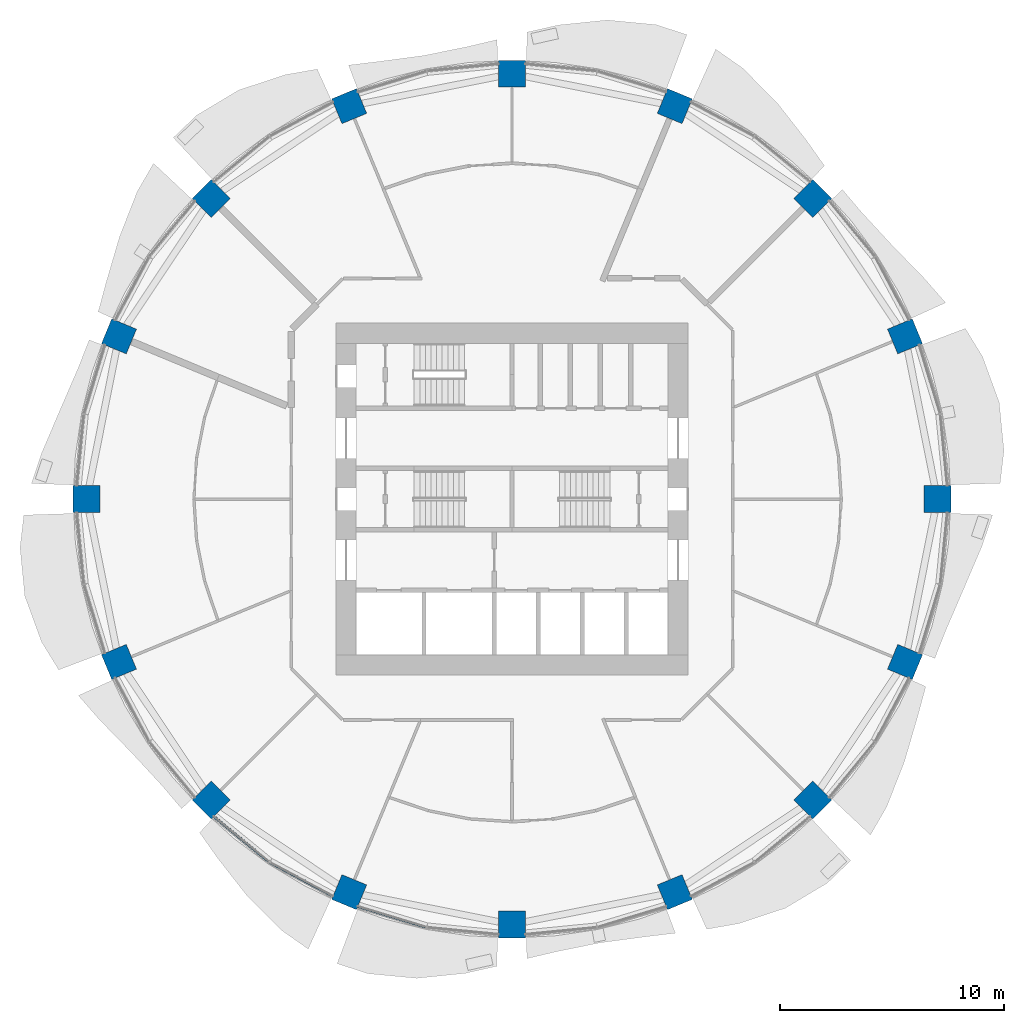
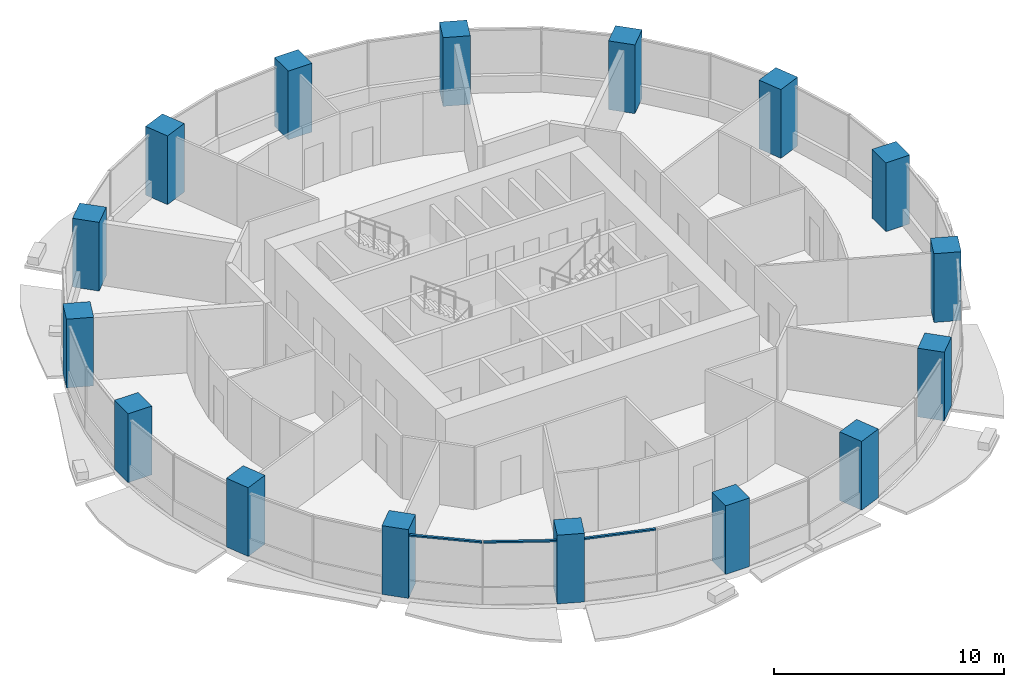
# One storey, part 1 of 15: 16 columns, 3 members, 2 elements without a shape of their own.
"""IFC4 building model written with IfcOpenShell, lengths in metres."""

from ifc_helpers import new_model, si_unit, direction, frame, origin, origin_2d, place, context, subcontext, project, spatial, rectangle, extrude, material, material_profile, profile_set, type_object, element, aggregate, save


model = new_model("IFC4")

# Units and contexts
model_context = context("Model", 3, precision=1e-05, world=origin(), true_north=direction((0.0, 1.0)))
body_context = subcontext(model_context, "Body", "Model", "MODEL_VIEW")
ifc_project = project(units=[si_unit("LENGTHUNIT", "METRE"), si_unit("AREAUNIT", "SQUARE_METRE"), si_unit("VOLUMEUNIT", "CUBIC_METRE"), si_unit("PLANEANGLEUNIT", "RADIAN"), si_unit("MASSUNIT", "GRAM", prefix="KILO")], contexts=[model_context])

# Site, building, storey
site_placement = place(None, origin())
site = spatial("IfcSite", under=ifc_project, at=site_placement, CompositionType="ELEMENT")
building_placement = place(site_placement, origin())
building = spatial("IfcBuilding", under=site, at=building_placement, Name="Polderwave Tower", CompositionType="ELEMENT")
storey_placement = place(building_placement, frame((0.0, 0.0, 48.10009765625)))
storey = spatial("IfcBuildingStorey", under=building, at=storey_placement, Name="L12", CompositionType="ELEMENT", Elevation=48.10009765625)

# Columns
ifc_material_1 = material(Name="Concrete C70/85", Category="concrete")
ifc_material_profile_1 = material_profile(ifc_material_1, rectangle(XDim=1.199951171875, YDim=1.199951171875, at=origin_2d()), Name="RC 1200x1200")
ifc_profile_set_1 = profile_set([ifc_material_profile_1], Name="Concrete C70/85")
column_type = type_object("IfcColumnType", Name="RC COLUMN 1200x1200 C70/85", PredefinedType="COLUMN", material=ifc_profile_set_1)
for number, where, z_axis, x_axis, name in (
    (1, (19.030029296875, 0.0, 0.0), (0.0, 0.0, 1.0), (1.0, 0.0, 0.0), "Ring column 01"),
    (2, (17.58154296875, 7.282470703125, 0.0), (0.0, 0.0, 1.0), (0.923879532511, 0.382683432365, 0.0), "Ring column 02"),
    (3, (13.456298828125, 13.456298828125, 0.0), (0.0, 0.0, 1.0), (0.707106781187, 0.707106781187, 0.0), "Ring column 03"),
    (4, (7.282470703125, 17.58154296875, 0.0), (0.0, 0.0, 1.0), (0.382683432365, 0.923879532511, 0.0), "Ring column 04"),
    (5, (0.0, 19.030029296875, 0.0), (0.0, 0.0, 1.0), (0.0, 1.0, 0.0), "Ring column 05"),
    (6, (-7.282470703125, 17.58154296875, 0.0), (0.0, 0.0, 1.0), (-0.382683432365, 0.923879532511, 0.0), "Ring column 06"),
    (7, (-13.456298828125, 13.456298828125, 0.0), (0.0, 0.0, 1.0), (-0.707106781187, 0.707106781187, 0.0), "Ring column 07"),
    (8, (-17.58154296875, 7.282470703125, 0.0), (0.0, 0.0, 1.0), (-0.923879532511, 0.382683432365, 0.0), "Ring column 08"),
    (9, (-19.030029296875, 0.0, 0.0), (0.0, 0.0, 1.0), (-1.0, 0.0, 0.0), "Ring column 09"),
    (10, (-17.58154296875, -7.282470703125, 0.0), (0.0, 0.0, 1.0), (-0.923879532511, -0.382683432365, 0.0), "Ring column 10"),
    (11, (-13.456298828125, -13.456298828125, 0.0), (0.0, 0.0, 1.0), (-0.707106781187, -0.707106781187, 0.0), "Ring column 11"),
    (12, (-7.282470703125, -17.58154296875, 0.0), (0.0, 0.0, 1.0), (-0.382683432365, -0.923879532511, 0.0), "Ring column 12"),
    (13, (0.0, -19.030029296875, 0.0), (0.0, 0.0, 1.0), (0.0, -1.0, 0.0), "Ring column 13"),
    (14, (7.282470703125, -17.58154296875, 0.0), (0.0, 0.0, 1.0), (0.382683432365, -0.923879532511, 0.0), "Ring column 14"),
    (15, (13.456298828125, -13.456298828125, 0.0), (0.0, 0.0, 1.0), (0.707106781187, -0.707106781187, 0.0), "Ring column 15"),
    (16, (17.58154296875, -7.282470703125, 0.0), (0.0, 0.0, 1.0), (0.923879532511, -0.382683432365, 0.0), "Ring column 16"),
):
    element("IfcColumn", number, at=place(storey_placement, frame(where, z_axis=z_axis, x_axis=x_axis)), inside=storey, type_object=column_type, Name=name, PredefinedType="COLUMN", context=body_context, shape_type="SweptSolid", body=[
        extrude(rectangle(XDim=1.199951171875, YDim=1.199951171875, at=origin_2d()), origin(), (0.0, 0.0, 1.0), 3.64990234375),
    ])

# Curtain wall, members
ifc_material_2 = material(Name="Aluminium 6063-T6 and glass", Category="aluminium")
curtain_wall_type = type_object("IfcCurtainWallType", Name="Growing floor ribbon glazing wall", PredefinedType="NOTDEFINED", material=ifc_material_2)
curtain_wall_1_placement = place(storey_placement, origin())
curtain_wall_1 = element("IfcCurtainWall", 17, at=curtain_wall_1_placement, inside=storey, type_object=curtain_wall_type, Name="CW2 L12 10", PredefinedType="NOTDEFINED")
ifc_material_3 = material(Name="Aluminium 6063-T6", Category="aluminium")
ifc_material_profile_2 = material_profile(ifc_material_3, rectangle(XDim=0.1201171875, YDim=0.080078125, at=origin_2d()), Name="AL 80x120")
ifc_profile_set_2 = profile_set([ifc_material_profile_2], Name="Aluminium 6063-T6")
member_type = type_object("IfcMemberType", Name="Growing floor ribbon glazing transom 80x120", PredefinedType="USERDEFINED", material=ifc_profile_set_2)
member_1_placement = place(storey_placement, frame((-13.343994140625, -14.19189453125, 3.260009765625), z_axis=(0.772945627941, -0.63447226594, 0.0), x_axis=(0.63447226594, 0.772945627941, 0.0)))
member_1 = element("IfcMember", 18, at=member_1_placement, type_object=member_type, Name="CW2 transom 1", ObjectType="TRANSOM", PredefinedType="USERDEFINED", context=body_context, shape_type="SweptSolid", body=[
    extrude(rectangle(XDim=0.1201171875, YDim=0.080078125, at=origin_2d()), origin(), (0.0, 0.0, 1.0), 3.196533203125),
])
member_2_placement = place(storey_placement, frame((-10.823486328125, -16.253173828125, 3.260009765625), z_axis=(0.881929477556, -0.471381370673, 0.0), x_axis=(0.471381370673, 0.881929477556, 0.0)))
member_2 = element("IfcMember", 19, at=member_2_placement, type_object=member_type, Name="CW2 transom 2", ObjectType="TRANSOM", PredefinedType="USERDEFINED", context=body_context, shape_type="SweptSolid", body=[
    extrude(rectangle(XDim=0.1201171875, YDim=0.080078125, at=origin_2d()), origin(), (0.0, 0.0, 1.0), 3.194580078125),
])
aggregate(curtain_wall_1, [member_1, member_2])

# Curtain wall, member
curtain_wall_2_placement = place(storey_placement, origin())
curtain_wall_2 = element("IfcCurtainWall", 20, at=curtain_wall_2_placement, inside=storey, type_object=curtain_wall_type, Name="CW2 L12 11", PredefinedType="NOTDEFINED")
member_3_placement = place(storey_placement, frame((-6.89697265625, -18.218017578125, 3.260009765625), z_axis=(0.95689839473, -0.290422902272, 0.0), x_axis=(0.290422902272, 0.95689839473, 0.0)))
member_3 = element("IfcMember", 21, at=member_3_placement, type_object=member_type, Name="CW2 transom 1", ObjectType="TRANSOM", PredefinedType="USERDEFINED", context=body_context, shape_type="SweptSolid", body=[
    extrude(rectangle(XDim=0.1201171875, YDim=0.080078125, at=origin_2d()), origin(), (0.0, 0.0, 1.0), 3.196044921875),
])
aggregate(curtain_wall_2, [member_3])

save(model, "model.ifc")
